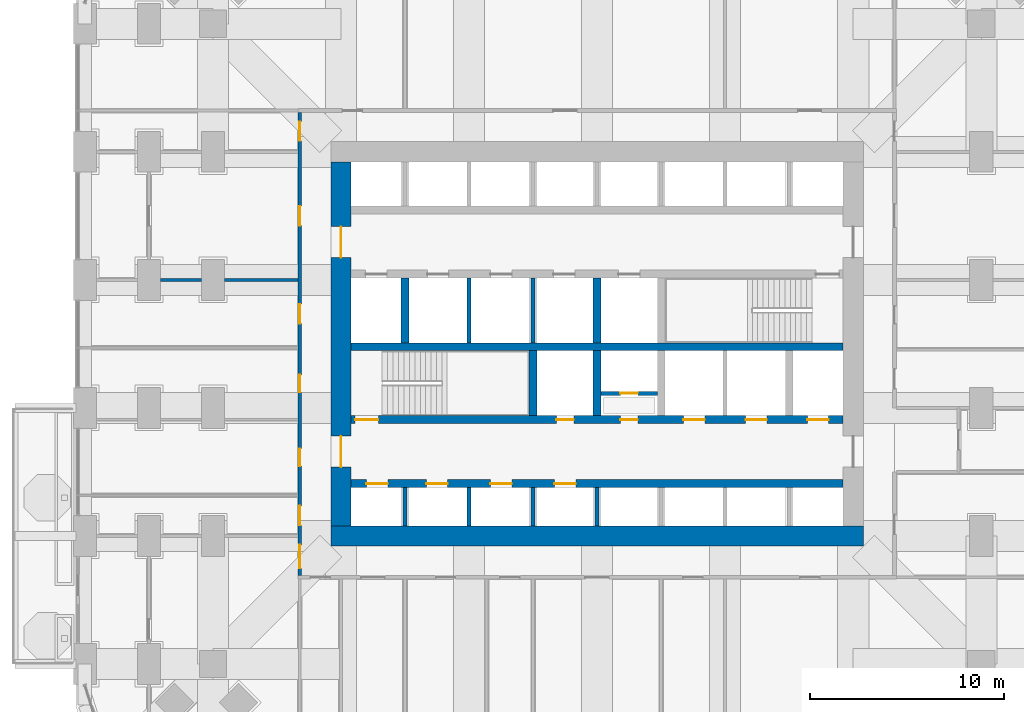
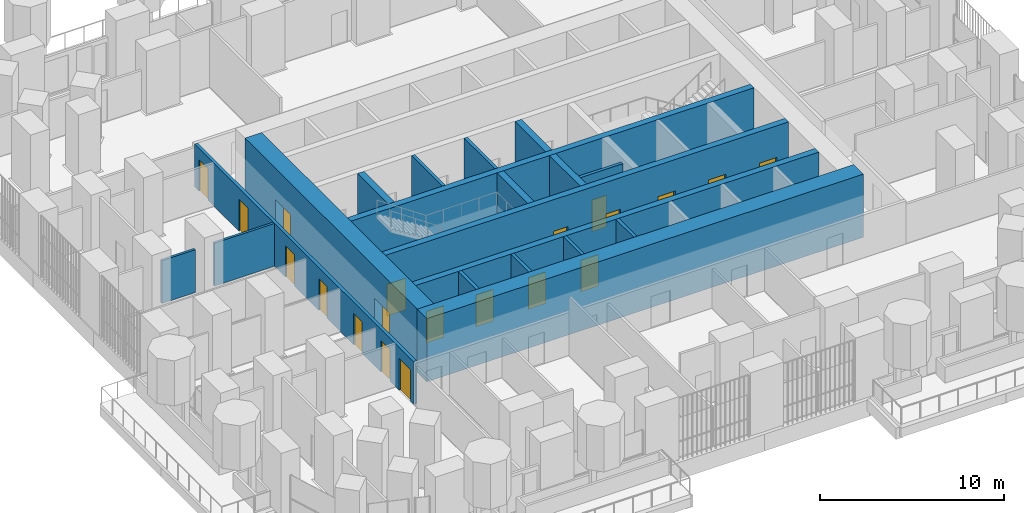
# One storey, part 19 of 27: 20 doors, 19 walls, 20 openings.
"""IFC4 building model written with IfcOpenShell, lengths in metres."""

from ifc_helpers import new_model, si_unit, direction, frame, frame_2d, origin, place, context, subcontext, project, spatial, rectangle, extrude, material, layer, layer_set, type_object, element, fill, save


model = new_model("IFC4")

# Units and contexts
model_context = context("Model", 3, precision=1e-05, world=origin(), true_north=direction((0.0, 1.0)))
body_context = subcontext(model_context, "Body", "Model", "MODEL_VIEW")
ifc_project = project(units=[si_unit("LENGTHUNIT", "METRE"), si_unit("AREAUNIT", "SQUARE_METRE"), si_unit("VOLUMEUNIT", "CUBIC_METRE"), si_unit("PLANEANGLEUNIT", "RADIAN"), si_unit("MASSUNIT", "GRAM", prefix="KILO")], contexts=[model_context])

# Site, building, storey
site_placement = place(None, origin())
site = spatial("IfcSite", under=ifc_project, at=site_placement, CompositionType="ELEMENT")
building_placement = place(site_placement, origin())
building = spatial("IfcBuilding", under=site, at=building_placement, Name="Cobogo Forest Laboratory Tower", CompositionType="ELEMENT")
storey_placement = place(building_placement, frame((0.0, 0.0, 63.300048828125)))
storey = spatial("IfcBuildingStorey", under=building, at=storey_placement, Name="L14", CompositionType="ELEMENT", Elevation=63.300048828125)

# Wall, openings, doors
ifc_material_1 = material(Name="Concrete HA-50 (C50/60)", Category="concrete")
ifc_layer_1 = layer(ifc_material_1, 0.39990234375)
ifc_layer_set_1 = layer_set([ifc_layer_1], Name="CI400 core inner wall 400")
wall_type_1 = type_object("IfcWallType", Name="CI400 core inner wall 400", PredefinedType="SHEAR", material=ifc_layer_set_1)
wall_1_placement = place(storey_placement, frame((13.72509765625, 15.89990234375, 0.0), z_axis=(0.0, 0.0, 1.0), x_axis=(1.0, 0.0, 0.0)))
wall_1 = element("IfcWall", 1, at=wall_1_placement, inside=storey, type_object=wall_type_1, Name="Core wall CI-15.9 L14", PredefinedType="SHEAR", context=body_context, shape_type="SweptSolid", body=[
    extrude(rectangle(XDim=25.349853515625, YDim=0.39990234375, at=frame_2d((12.6748046875, 0.0))), origin(), (0.0, 0.0, 1.0), 4.199951171875),
])
opening_1_placement = place(wall_1_placement, frame((0.78759765625, 0.0, 0.0)))
opening_1 = element("IfcOpeningElement", 2, at=opening_1_placement, cuts=wall_1, Name="Opening L14-LD-LA1", PredefinedType="OPENING", context=body_context, shape_type="SweptSolid", body=[
    extrude(rectangle(XDim=1.10009765625, YDim=2.10009765625, at=frame_2d((0.550048828125, 1.050048828125))), frame((0.0, 0.2099609375, 0.0), z_axis=(0.0, -1.0, 0.0), x_axis=(1.0, 0.0, 0.0)), (0.0, 0.0, 1.0), 0.419921875),
])
opening_2_placement = place(wall_1_placement, frame((3.875, 0.0, 0.0)))
opening_2 = element("IfcOpeningElement", 3, at=opening_2_placement, cuts=wall_1, Name="Opening L14-LD-LA2", PredefinedType="OPENING", context=body_context, shape_type="SweptSolid", body=[
    extrude(rectangle(XDim=1.10009765625, YDim=2.10009765625, at=frame_2d((0.550048828125, 1.050048828125))), frame((0.0, 0.2099609375, 0.0), z_axis=(0.0, -1.0, 0.0), x_axis=(1.0, 0.0, 0.0)), (0.0, 0.0, 1.0), 0.419921875),
])
opening_3_placement = place(wall_1_placement, frame((7.175048828125, 0.0, 0.0)))
opening_3 = element("IfcOpeningElement", 4, at=opening_3_placement, cuts=wall_1, Name="Opening L14-LD-LA3", PredefinedType="OPENING", context=body_context, shape_type="SweptSolid", body=[
    extrude(rectangle(XDim=1.10009765625, YDim=2.10009765625, at=frame_2d((0.550048828125, 1.050048828125))), frame((0.0, 0.2099609375, 0.0), z_axis=(0.0, -1.0, 0.0), x_axis=(1.0, 0.0, 0.0)), (0.0, 0.0, 1.0), 0.419921875),
])
opening_4_placement = place(wall_1_placement, frame((10.47509765625, 0.0, 0.0)))
opening_4 = element("IfcOpeningElement", 5, at=opening_4_placement, cuts=wall_1, Name="Opening L14-LD-LA4", PredefinedType="OPENING", context=body_context, shape_type="SweptSolid", body=[
    extrude(rectangle(XDim=1.10009765625, YDim=2.10009765625, at=frame_2d((0.550048828125, 1.050048828125))), frame((0.0, 0.2099609375, 0.0), z_axis=(0.0, -1.0, 0.0), x_axis=(1.0, 0.0, 0.0)), (0.0, 0.0, 1.0), 0.419921875),
])
ifc_material_2 = material(Name="Stainless steel lift door", Category="steel")
door_type_1 = type_object("IfcDoorType", Name="LD lift landing door 1100", OperationType="DOUBLE_DOOR_SLIDING", PredefinedType="DOOR", material=ifc_material_2)
door_1_placement = place(opening_1_placement, origin())
door_1 = element("IfcDoor", 6, at=door_1_placement, inside=storey, type_object=door_type_1, Name="Lift landing door LA1 L14", OperationType="DOUBLE_DOOR_SLIDING", OverallHeight=2.10009765625, OverallWidth=1.10009765625, PredefinedType="DOOR", context=body_context, shape_type="SweptSolid", body=[
    extrude(rectangle(XDim=1.10009765625, YDim=2.10009765625, at=frame_2d((0.550048828125, 1.050048828125))), frame((0.0, 0.02490234375, 0.0), z_axis=(0.0, -1.0, 0.0), x_axis=(1.0, 0.0, 0.0)), (0.0, 0.0, 1.0), 0.050048828125),
])
fill(opening_1, door_1)
door_2_placement = place(opening_2_placement, origin())
door_2 = element("IfcDoor", 7, at=door_2_placement, inside=storey, type_object=door_type_1, Name="Lift landing door LA2 L14", OperationType="DOUBLE_DOOR_SLIDING", OverallHeight=2.10009765625, OverallWidth=1.10009765625, PredefinedType="DOOR", context=body_context, shape_type="SweptSolid", body=[
    extrude(rectangle(XDim=1.10009765625, YDim=2.10009765625, at=frame_2d((0.550048828125, 1.050048828125))), frame((0.0, 0.02490234375, 0.0), z_axis=(0.0, -1.0, 0.0), x_axis=(1.0, 0.0, 0.0)), (0.0, 0.0, 1.0), 0.050048828125),
])
fill(opening_2, door_2)
door_3_placement = place(opening_3_placement, origin())
door_3 = element("IfcDoor", 8, at=door_3_placement, inside=storey, type_object=door_type_1, Name="Lift landing door LA3 L14", OperationType="DOUBLE_DOOR_SLIDING", OverallHeight=2.10009765625, OverallWidth=1.10009765625, PredefinedType="DOOR", context=body_context, shape_type="SweptSolid", body=[
    extrude(rectangle(XDim=1.10009765625, YDim=2.10009765625, at=frame_2d((0.550048828125, 1.050048828125))), frame((0.0, 0.02490234375, 0.0), z_axis=(0.0, -1.0, 0.0), x_axis=(1.0, 0.0, 0.0)), (0.0, 0.0, 1.0), 0.050048828125),
])
fill(opening_3, door_3)
door_4_placement = place(opening_4_placement, origin())
door_4 = element("IfcDoor", 9, at=door_4_placement, inside=storey, type_object=door_type_1, Name="Lift landing door LA4 L14", OperationType="DOUBLE_DOOR_SLIDING", OverallHeight=2.10009765625, OverallWidth=1.10009765625, PredefinedType="DOOR", context=body_context, shape_type="SweptSolid", body=[
    extrude(rectangle(XDim=1.10009765625, YDim=2.10009765625, at=frame_2d((0.550048828125, 1.050048828125))), frame((0.0, 0.02490234375, 0.0), z_axis=(0.0, -1.0, 0.0), x_axis=(1.0, 0.0, 0.0)), (0.0, 0.0, 1.0), 0.050048828125),
])
fill(opening_4, door_4)

wall_2_placement = place(storey_placement, frame((13.72509765625, 19.199951171875, 0.0), z_axis=(0.0, 0.0, 1.0), x_axis=(1.0, 0.0, 0.0)))
wall_2 = element("IfcWall", 10, at=wall_2_placement, inside=storey, type_object=wall_type_1, Name="Core wall CI-19.2 L14", PredefinedType="SHEAR", context=body_context, shape_type="SweptSolid", body=[
    extrude(rectangle(XDim=25.349853515625, YDim=0.39990234375, at=frame_2d((12.6748046875, 0.0))), origin(), (0.0, 0.0, 1.0), 4.199951171875),
])
opening_5_placement = place(wall_2_placement, frame((10.574951171875, 0.0, 0.0)))
opening_5 = element("IfcOpeningElement", 11, at=opening_5_placement, cuts=wall_2, Name="Opening L14-D27", PredefinedType="OPENING", context=body_context, shape_type="SweptSolid", body=[
    extrude(rectangle(XDim=0.89990234375, YDim=2.10009765625, at=frame_2d((0.449951171875, 1.050048828125))), frame((0.0, 0.2099609375, 0.0), z_axis=(0.0, -1.0, 0.0), x_axis=(1.0, 0.0, 0.0)), (0.0, 0.0, 1.0), 0.419921875),
])
opening_6_placement = place(wall_2_placement, frame((13.875, 0.0, 0.0)))
opening_6 = element("IfcOpeningElement", 12, at=opening_6_placement, cuts=wall_2, Name="Opening L14-D28", PredefinedType="OPENING", context=body_context, shape_type="SweptSolid", body=[
    extrude(rectangle(XDim=0.89990234375, YDim=2.10009765625, at=frame_2d((0.449951171875, 1.050048828125))), frame((0.0, 0.2099609375, 0.0), z_axis=(0.0, -1.0, 0.0), x_axis=(1.0, 0.0, 0.0)), (0.0, 0.0, 1.0), 0.419921875),
])
opening_7_placement = place(wall_2_placement, frame((0.199951171875, 0.0, 0.0)))
opening_7 = element("IfcOpeningElement", 13, at=opening_7_placement, cuts=wall_2, Name="Opening L14-D26", PredefinedType="OPENING", context=body_context, shape_type="SweptSolid", body=[
    extrude(rectangle(XDim=1.199951171875, YDim=2.10009765625, at=frame_2d((0.60009765625, 1.050048828125))), frame((0.0, 0.2099609375, 0.0), z_axis=(0.0, -1.0, 0.0), x_axis=(1.0, 0.0, 0.0)), (0.0, 0.0, 1.0), 0.419921875),
])
opening_8_placement = place(wall_2_placement, frame((23.512451171875, 0.0, 0.0)))
opening_8 = element("IfcOpeningElement", 14, at=opening_8_placement, cuts=wall_2, Name="Opening L14-LD-FL2", PredefinedType="OPENING", context=body_context, shape_type="SweptSolid", body=[
    extrude(rectangle(XDim=1.10009765625, YDim=2.10009765625, at=frame_2d((0.550048828125, 1.050048828125))), frame((0.0, 0.2099609375, 0.0), z_axis=(0.0, -1.0, 0.0), x_axis=(1.0, 0.0, 0.0)), (0.0, 0.0, 1.0), 0.419921875),
])
opening_9_placement = place(wall_2_placement, frame((17.125, 0.0, 0.0)))
opening_9 = element("IfcOpeningElement", 15, at=opening_9_placement, cuts=wall_2, Name="Opening L14-LD-LS1", PredefinedType="OPENING", context=body_context, shape_type="SweptSolid", body=[
    extrude(rectangle(XDim=1.10009765625, YDim=2.10009765625, at=frame_2d((0.550048828125, 1.050048828125))), frame((0.0, 0.2099609375, 0.0), z_axis=(0.0, -1.0, 0.0), x_axis=(1.0, 0.0, 0.0)), (0.0, 0.0, 1.0), 0.419921875),
])
opening_10_placement = place(wall_2_placement, frame((20.324951171875, 0.0, 0.0)))
opening_10 = element("IfcOpeningElement", 16, at=opening_10_placement, cuts=wall_2, Name="Opening L14-LD-LS2", PredefinedType="OPENING", context=body_context, shape_type="SweptSolid", body=[
    extrude(rectangle(XDim=1.10009765625, YDim=2.10009765625, at=frame_2d((0.550048828125, 1.050048828125))), frame((0.0, 0.2099609375, 0.0), z_axis=(0.0, -1.0, 0.0), x_axis=(1.0, 0.0, 0.0)), (0.0, 0.0, 1.0), 0.419921875),
])
ifc_material_3 = material(Name="Steel fire door", Category="steel")
door_type_2 = type_object("IfcDoorType", Name="DS1 protected stair door 1200 EI2 60", OperationType="SINGLE_SWING_LEFT", PredefinedType="DOOR", material=ifc_material_3)
door_5_placement = place(opening_7_placement, origin())
door_5 = element("IfcDoor", 17, at=door_5_placement, inside=storey, type_object=door_type_2, Name="Door L14-ST1", OperationType="SINGLE_SWING_LEFT", OverallHeight=2.10009765625, OverallWidth=1.199951171875, PredefinedType="DOOR", context=body_context, shape_type="SweptSolid", body=[
    extrude(rectangle(XDim=1.199951171875, YDim=2.10009765625, at=frame_2d((0.60009765625, 1.050048828125))), frame((0.0, 0.02490234375, 0.0), z_axis=(0.0, -1.0, 0.0), x_axis=(1.0, 0.0, 0.0)), (0.0, 0.0, 1.0), 0.050048828125),
])
fill(opening_7, door_5)
door_type_3 = type_object("IfcDoorType", Name="FD4 riser access door 900 EI2 60", OperationType="SINGLE_SWING_LEFT", PredefinedType="DOOR", material=ifc_material_3)
door_6_placement = place(opening_5_placement, origin())
door_6 = element("IfcDoor", 18, at=door_6_placement, inside=storey, type_object=door_type_3, Name="Door L14-R1", OperationType="SINGLE_SWING_LEFT", OverallHeight=2.10009765625, OverallWidth=0.89990234375, PredefinedType="DOOR", context=body_context, shape_type="SweptSolid", body=[
    extrude(rectangle(XDim=0.89990234375, YDim=2.10009765625, at=frame_2d((0.449951171875, 1.050048828125))), frame((0.0, 0.02490234375, 0.0), z_axis=(0.0, -1.0, 0.0), x_axis=(1.0, 0.0, 0.0)), (0.0, 0.0, 1.0), 0.050048828125),
])
fill(opening_5, door_6)
door_7_placement = place(opening_6_placement, origin())
door_7 = element("IfcDoor", 19, at=door_7_placement, inside=storey, type_object=door_type_3, Name="Door L14-R2V", OperationType="SINGLE_SWING_RIGHT", OverallHeight=2.10009765625, OverallWidth=0.89990234375, PredefinedType="DOOR", context=body_context, shape_type="SweptSolid", body=[
    extrude(rectangle(XDim=0.89990234375, YDim=2.10009765625, at=frame_2d((0.449951171875, 1.050048828125))), frame((0.0, 0.02490234375, 0.0), z_axis=(0.0, -1.0, 0.0), x_axis=(1.0, 0.0, 0.0)), (0.0, 0.0, 1.0), 0.050048828125),
])
fill(opening_6, door_7)
door_8_placement = place(opening_8_placement, origin())
door_8 = element("IfcDoor", 20, at=door_8_placement, inside=storey, type_object=door_type_1, Name="Lift landing door FL2 L14", OperationType="DOUBLE_DOOR_SLIDING", OverallHeight=2.10009765625, OverallWidth=1.10009765625, PredefinedType="DOOR", context=body_context, shape_type="SweptSolid", body=[
    extrude(rectangle(XDim=1.10009765625, YDim=2.10009765625, at=frame_2d((0.550048828125, 1.050048828125))), frame((0.0, 0.02490234375, 0.0), z_axis=(0.0, -1.0, 0.0), x_axis=(1.0, 0.0, 0.0)), (0.0, 0.0, 1.0), 0.050048828125),
])
fill(opening_8, door_8)
door_9_placement = place(opening_9_placement, origin())
door_9 = element("IfcDoor", 21, at=door_9_placement, inside=storey, type_object=door_type_1, Name="Lift landing door LS1 L14", OperationType="DOUBLE_DOOR_SLIDING", OverallHeight=2.10009765625, OverallWidth=1.10009765625, PredefinedType="DOOR", context=body_context, shape_type="SweptSolid", body=[
    extrude(rectangle(XDim=1.10009765625, YDim=2.10009765625, at=frame_2d((0.550048828125, 1.050048828125))), frame((0.0, 0.02490234375, 0.0), z_axis=(0.0, -1.0, 0.0), x_axis=(1.0, 0.0, 0.0)), (0.0, 0.0, 1.0), 0.050048828125),
])
fill(opening_9, door_9)
door_10_placement = place(opening_10_placement, origin())
door_10 = element("IfcDoor", 22, at=door_10_placement, inside=storey, type_object=door_type_1, Name="Lift landing door LS2 L14", OperationType="DOUBLE_DOOR_SLIDING", OverallHeight=2.10009765625, OverallWidth=1.10009765625, PredefinedType="DOOR", context=body_context, shape_type="SweptSolid", body=[
    extrude(rectangle(XDim=1.10009765625, YDim=2.10009765625, at=frame_2d((0.550048828125, 1.050048828125))), frame((0.0, 0.02490234375, 0.0), z_axis=(0.0, -1.0, 0.0), x_axis=(1.0, 0.0, 0.0)), (0.0, 0.0, 1.0), 0.050048828125),
])
fill(opening_10, door_10)

# Walls
wall_3_placement = place(storey_placement, frame((13.72509765625, 22.949951171875, 0.0), z_axis=(0.0, 0.0, 1.0), x_axis=(1.0, 0.0, 0.0)))
element("IfcWall", 23, at=wall_3_placement, inside=storey, type_object=wall_type_1, Name="Core wall CI-22.95 L14", PredefinedType="SHEAR", context=body_context, shape_type="SweptSolid", body=[
    extrude(rectangle(XDim=25.349853515625, YDim=0.39990234375, at=frame_2d((12.6748046875, 0.0))), origin(), (0.0, 0.0, 1.0), 4.199951171875),
])
for number, where, z_axis, x_axis, name in (
    (24, (23.10009765625, 19.39990234375, 0.0), (0.0, 0.0, 1.0), (0.0, 1.0, 0.0), "Core wall CX-23.1 L14"),
    (25, (26.39990234375, 19.39990234375, 0.0), (0.0, 0.0, 1.0), (0.0, 1.0, 0.0), "Core wall CX-26.4S L14"),
    (26, (16.5, 23.14990234375, 0.0), (0.0, 0.0, 1.0), (0.0, 1.0, 0.0), "Core wall CX-16.5 L14"),
    (27, (26.39990234375, 23.14990234375, 0.0), (0.0, 0.0, 1.0), (0.0, 1.0, 0.0), "Core wall CX-26.4N L14"),
):
    element("IfcWall", number, at=place(storey_placement, frame(where, z_axis=z_axis, x_axis=x_axis)), inside=storey, type_object=wall_type_1, Name=name, PredefinedType="SHEAR", context=body_context, shape_type="SweptSolid", body=[
        extrude(rectangle(XDim=3.35009765625, YDim=0.39990234375, at=frame_2d((1.675048828125, 0.0))), origin(), (0.0, 0.0, 1.0), 4.199951171875),
    ])
ifc_layer_2 = layer(ifc_material_1, 1.050048828125)
ifc_layer_set_2 = layer_set([ifc_layer_2], Name="CW1050 core outer wall 1050")
wall_type_2 = type_object("IfcWallType", Name="CW1050 core outer wall 1050", PredefinedType="SHEAR", material=ifc_layer_set_2)
wall_4_placement = place(storey_placement, frame((12.675048828125, 13.199951171875, 0.0), z_axis=(0.0, 0.0, 1.0), x_axis=(1.0, 0.0, 0.0)))
element("IfcWall", 28, at=wall_4_placement, inside=storey, type_object=wall_type_2, Name="Core wall CO-S L14", PredefinedType="SHEAR", context=body_context, shape_type="SweptSolid", body=[
    extrude(rectangle(XDim=27.449951171875, YDim=1.050048828125, at=frame_2d((13.72509765625, 0.0))), origin(), (0.0, 0.0, 1.0), 4.199951171875),
])

# Wall, openings, doors
wall_5_placement = place(storey_placement, frame((13.199951171875, 32.47509765625, 0.0), z_axis=(0.0, 0.0, 1.0), x_axis=(0.0, -1.0, 0.0)))
wall_5 = element("IfcWall", 29, at=wall_5_placement, inside=storey, type_object=wall_type_2, Name="Core wall CO-W L14", PredefinedType="SHEAR", context=body_context, shape_type="SweptSolid", body=[
    extrude(rectangle(XDim=18.75, YDim=1.050048828125, at=frame_2d((9.375, 0.0))), origin(), (0.0, 0.0, 1.0), 4.199951171875),
])
opening_11_placement = place(wall_5_placement, frame((14.125, 0.0, 0.0)))
opening_11 = element("IfcOpeningElement", 30, at=opening_11_placement, cuts=wall_5, Name="Opening L14-D22", PredefinedType="OPENING", context=body_context, shape_type="SweptSolid", body=[
    extrude(rectangle(XDim=1.60009765625, YDim=2.10009765625, at=frame_2d((0.800048828125, 1.050048828125))), frame((0.0, 0.534912109375, 0.0), z_axis=(0.0, -1.0, 0.0), x_axis=(1.0, 0.0, 0.0)), (0.0, 0.0, 1.0), 1.070068359375),
])
opening_12_placement = place(wall_5_placement, frame((3.324951171875, 0.0, 0.0)))
opening_12 = element("IfcOpeningElement", 31, at=opening_12_placement, cuts=wall_5, Name="Opening L14-D35", PredefinedType="OPENING", context=body_context, shape_type="SweptSolid", body=[
    extrude(rectangle(XDim=1.60009765625, YDim=2.10009765625, at=frame_2d((0.800048828125, 1.050048828125))), frame((0.0, 0.534912109375, 0.0), z_axis=(0.0, -1.0, 0.0), x_axis=(1.0, 0.0, 0.0)), (0.0, 0.0, 1.0), 1.070068359375),
])
door_type_4 = type_object("IfcDoorType", Name="DS2 protected lobby door pair 1600 EI2 60", OperationType="DOUBLE_DOOR_DOUBLE_SWING", PredefinedType="DOOR", material=ifc_material_3)
door_11_placement = place(opening_11_placement, origin())
door_11 = element("IfcDoor", 32, at=door_11_placement, inside=storey, type_object=door_type_4, Name="Door L14-CO-W-S", OperationType="DOUBLE_DOOR_DOUBLE_SWING", OverallHeight=2.10009765625, OverallWidth=1.60009765625, PredefinedType="DOOR", context=body_context, shape_type="SweptSolid", body=[
    extrude(rectangle(XDim=1.60009765625, YDim=2.10009765625, at=frame_2d((0.800048828125, 1.050048828125))), frame((0.0, 0.02490234375, 0.0), z_axis=(0.0, -1.0, 0.0), x_axis=(1.0, 0.0, 0.0)), (0.0, 0.0, 1.0), 0.050048828125),
])
fill(opening_11, door_11)
door_12_placement = place(opening_12_placement, origin())
door_12 = element("IfcDoor", 33, at=door_12_placement, inside=storey, type_object=door_type_4, Name="Door L14-CO-W-N", OperationType="DOUBLE_DOOR_DOUBLE_SWING", OverallHeight=2.10009765625, OverallWidth=1.60009765625, PredefinedType="DOOR", context=body_context, shape_type="SweptSolid", body=[
    extrude(rectangle(XDim=1.60009765625, YDim=2.10009765625, at=frame_2d((0.800048828125, 1.050048828125))), frame((0.0, 0.02490234375, 0.0), z_axis=(0.0, -1.0, 0.0), x_axis=(1.0, 0.0, 0.0)), (0.0, 0.0, 1.0), 0.050048828125),
])
fill(opening_12, door_12)

# Walls
ifc_material_4 = material(Name="Gypsum board on steel studs", Category="steel")
ifc_layer_3 = layer(ifc_material_4, 0.14990234375)
ifc_layer_set_3 = layer_set([ifc_layer_3], Name="PT1 laboratory partition 150")
wall_type_3 = type_object("IfcWallType", Name="PT1 laboratory partition 150", PredefinedType="PARTITIONING", material=ifc_layer_set_3)
wall_6_placement = place(storey_placement, frame((3.89990234375, 26.39990234375, 0.0), z_axis=(0.0, 0.0, 1.0), x_axis=(1.0, 0.0, 0.0)))
element("IfcWall", 34, at=wall_6_placement, inside=storey, type_object=wall_type_3, Name="Partition CUT-W26.4-2 L14", PredefinedType="PARTITIONING", context=body_context, shape_type="SweptSolid", body=[
    extrude(rectangle(XDim=2.10009765625, YDim=0.14990234375, at=frame_2d((1.050048828125, 0.0))), origin(), (0.0, 0.0, 1.0), 2.849853515625),
])
wall_7_placement = place(storey_placement, frame((7.199951171875, 26.39990234375, 0.0), z_axis=(0.0, 0.0, 1.0), x_axis=(1.0, 0.0, 0.0)))
element("IfcWall", 35, at=wall_7_placement, inside=storey, type_object=wall_type_3, Name="Partition CUT-W26.4-3 L14", PredefinedType="PARTITIONING", context=body_context, shape_type="SweptSolid", body=[
    extrude(rectangle(XDim=3.775146484375, YDim=0.14990234375, at=frame_2d((1.8876953125, 0.0))), origin(), (0.0, 0.0, 1.0), 2.849853515625),
])

# Wall, openings, doors
ifc_layer_4 = layer(ifc_material_4, 0.199951171875)
ifc_layer_set_4 = layer_set([ifc_layer_4], Name="PT2 fire-rated corridor partition 200")
wall_type_4 = type_object("IfcWallType", Name="PT2 fire-rated corridor partition 200", PredefinedType="PARTITIONING", material=ifc_layer_set_4)
wall_8_placement = place(storey_placement, frame((11.074951171875, 11.175048828125, 0.0), z_axis=(0.0, 0.0, 1.0), x_axis=(0.0, 1.0, 0.0)))
wall_8 = element("IfcWall", 36, at=wall_8_placement, inside=storey, type_object=wall_type_4, Name="Partition CORR-W L14", PredefinedType="PARTITIONING", context=body_context, shape_type="SweptSolid", body=[
    extrude(rectangle(XDim=23.849853515625, YDim=0.199951171875, at=frame_2d((11.9248046875, 0.0))), origin(), (0.0, 0.0, 1.0), 2.849853515625),
])
opening_13_placement = place(wall_8_placement, frame((0.362548828125, 0.0, 0.0)))
opening_13 = element("IfcOpeningElement", 37, at=opening_13_placement, cuts=wall_8, Name="Opening L14-D17", PredefinedType="OPENING", context=body_context, shape_type="SweptSolid", body=[
    extrude(rectangle(XDim=1.199951171875, YDim=2.10009765625, at=frame_2d((0.60009765625, 1.050048828125))), frame((0.0, 0.10986328125, 0.0), z_axis=(0.0, -1.0, 0.0), x_axis=(1.0, 0.0, 0.0)), (0.0, 0.0, 1.0), 0.219970703125),
])
opening_14_placement = place(wall_8_placement, frame((2.574951171875, 0.0, 0.0)))
opening_14 = element("IfcOpeningElement", 38, at=opening_14_placement, cuts=wall_8, Name="Opening L14-D19", PredefinedType="OPENING", context=body_context, shape_type="SweptSolid", body=[
    extrude(rectangle(XDim=1.0, YDim=2.10009765625, at=frame_2d((0.5, 1.050048828125))), frame((0.0, 0.10986328125, 0.0), z_axis=(0.0, -1.0, 0.0), x_axis=(1.0, 0.0, 0.0)), (0.0, 0.0, 1.0), 0.219970703125),
])
opening_15_placement = place(wall_8_placement, frame((5.625, 0.0, 0.0)))
opening_15 = element("IfcOpeningElement", 39, at=opening_15_placement, cuts=wall_8, Name="Opening L14-D21", PredefinedType="OPENING", context=body_context, shape_type="SweptSolid", body=[
    extrude(rectangle(XDim=0.89990234375, YDim=2.10009765625, at=frame_2d((0.449951171875, 1.050048828125))), frame((0.0, 0.10986328125, 0.0), z_axis=(0.0, -1.0, 0.0), x_axis=(1.0, 0.0, 0.0)), (0.0, 0.0, 1.0), 0.219970703125),
])
opening_16_placement = place(wall_8_placement, frame((9.425048828125, 0.0, 0.0)))
opening_16 = element("IfcOpeningElement", 40, at=opening_16_placement, cuts=wall_8, Name="Opening L14-D30", PredefinedType="OPENING", context=body_context, shape_type="SweptSolid", body=[
    extrude(rectangle(XDim=0.89990234375, YDim=2.10009765625, at=frame_2d((0.449951171875, 1.050048828125))), frame((0.0, 0.10986328125, 0.0), z_axis=(0.0, -1.0, 0.0), x_axis=(1.0, 0.0, 0.0)), (0.0, 0.0, 1.0), 0.219970703125),
])
opening_17_placement = place(wall_8_placement, frame((12.97509765625, 0.0, 0.0)))
opening_17 = element("IfcOpeningElement", 41, at=opening_17_placement, cuts=wall_8, Name="Opening L14-D33", PredefinedType="OPENING", context=body_context, shape_type="SweptSolid", body=[
    extrude(rectangle(XDim=1.0, YDim=2.10009765625, at=frame_2d((0.5, 1.050048828125))), frame((0.0, 0.10986328125, 0.0), z_axis=(0.0, -1.0, 0.0), x_axis=(1.0, 0.0, 0.0)), (0.0, 0.0, 1.0), 0.219970703125),
])
opening_18_placement = place(wall_8_placement, frame((18.02490234375, 0.0, 0.0)))
opening_18 = element("IfcOpeningElement", 42, at=opening_18_placement, cuts=wall_8, Name="Opening L14-D38", PredefinedType="OPENING", context=body_context, shape_type="SweptSolid", body=[
    extrude(rectangle(XDim=1.0, YDim=2.10009765625, at=frame_2d((0.5, 1.050048828125))), frame((0.0, 0.10986328125, 0.0), z_axis=(0.0, -1.0, 0.0), x_axis=(1.0, 0.0, 0.0)), (0.0, 0.0, 1.0), 0.219970703125),
])
opening_19_placement = place(wall_8_placement, frame((22.387451171875, 0.0, 0.0)))
opening_19 = element("IfcOpeningElement", 43, at=opening_19_placement, cuts=wall_8, Name="Opening L14-D41", PredefinedType="OPENING", context=body_context, shape_type="SweptSolid", body=[
    extrude(rectangle(XDim=1.0, YDim=2.10009765625, at=frame_2d((0.5, 1.050048828125))), frame((0.0, 0.10986328125, 0.0), z_axis=(0.0, -1.0, 0.0), x_axis=(1.0, 0.0, 0.0)), (0.0, 0.0, 1.0), 0.219970703125),
])
ifc_material_5 = material(Name="Timber door", Category="wood")
door_type_5 = type_object("IfcDoorType", Name="D2 laboratory door 1200 unequal pair", OperationType="DOUBLE_DOOR_SINGLE_SWING", PredefinedType="DOOR", material=ifc_material_5)
door_13_placement = place(opening_13_placement, origin())
door_13 = element("IfcDoor", 44, at=door_13_placement, inside=storey, type_object=door_type_5, Name="Door L14-W1", OperationType="DOUBLE_DOOR_SINGLE_SWING", OverallHeight=2.10009765625, OverallWidth=1.199951171875, PredefinedType="DOOR", context=body_context, shape_type="SweptSolid", body=[
    extrude(rectangle(XDim=1.199951171875, YDim=2.10009765625, at=frame_2d((0.60009765625, 1.050048828125))), frame((0.0, 0.02490234375, 0.0), z_axis=(0.0, -1.0, 0.0), x_axis=(1.0, 0.0, 0.0)), (0.0, 0.0, 1.0), 0.050048828125),
])
fill(opening_13, door_13)
ifc_material_6 = material(Name="Timber fire door", Category="wood")
door_type_6 = type_object("IfcDoorType", Name="FD2 fire door 1000 EI2 30", OperationType="SINGLE_SWING_LEFT", PredefinedType="DOOR", material=ifc_material_6)
door_14_placement = place(opening_17_placement, origin())
door_14 = element("IfcDoor", 45, at=door_14_placement, inside=storey, type_object=door_type_6, Name="Door L14-SHW", OperationType="SINGLE_SWING_RIGHT", OverallHeight=2.10009765625, OverallWidth=1.0, PredefinedType="DOOR", context=body_context, shape_type="SweptSolid", body=[
    extrude(rectangle(XDim=1.0, YDim=2.10009765625, at=frame_2d((0.5, 1.050048828125))), frame((0.0, 0.02490234375, 0.0), z_axis=(0.0, -1.0, 0.0), x_axis=(1.0, 0.0, 0.0)), (0.0, 0.0, 1.0), 0.050048828125),
])
fill(opening_17, door_14)
door_15_placement = place(opening_18_placement, origin())
door_15 = element("IfcDoor", 46, at=door_15_placement, inside=storey, type_object=door_type_6, Name="Door L14-W3", OperationType="SINGLE_SWING_RIGHT", OverallHeight=2.10009765625, OverallWidth=1.0, PredefinedType="DOOR", context=body_context, shape_type="SweptSolid", body=[
    extrude(rectangle(XDim=1.0, YDim=2.10009765625, at=frame_2d((0.5, 1.050048828125))), frame((0.0, 0.02490234375, 0.0), z_axis=(0.0, -1.0, 0.0), x_axis=(1.0, 0.0, 0.0)), (0.0, 0.0, 1.0), 0.050048828125),
])
fill(opening_18, door_15)
door_16_placement = place(opening_19_placement, origin())
door_16 = element("IfcDoor", 47, at=door_16_placement, inside=storey, type_object=door_type_6, Name="Door L14-W4", OperationType="SINGLE_SWING_RIGHT", OverallHeight=2.10009765625, OverallWidth=1.0, PredefinedType="DOOR", context=body_context, shape_type="SweptSolid", body=[
    extrude(rectangle(XDim=1.0, YDim=2.10009765625, at=frame_2d((0.5, 1.050048828125))), frame((0.0, 0.02490234375, 0.0), z_axis=(0.0, -1.0, 0.0), x_axis=(1.0, 0.0, 0.0)), (0.0, 0.0, 1.0), 0.050048828125),
])
fill(opening_19, door_16)
door_type_7 = type_object("IfcDoorType", Name="FD3 toilet fire door 900 EI2 30", OperationType="SINGLE_SWING_LEFT", PredefinedType="DOOR", material=ifc_material_6)
door_17_placement = place(opening_15_placement, origin())
door_17 = element("IfcDoor", 48, at=door_17_placement, inside=storey, type_object=door_type_7, Name="Door L14-WCF", OperationType="SINGLE_SWING_LEFT", OverallHeight=2.10009765625, OverallWidth=0.89990234375, PredefinedType="DOOR", context=body_context, shape_type="SweptSolid", body=[
    extrude(rectangle(XDim=0.89990234375, YDim=2.10009765625, at=frame_2d((0.449951171875, 1.050048828125))), frame((0.0, 0.02490234375, 0.0), z_axis=(0.0, -1.0, 0.0), x_axis=(1.0, 0.0, 0.0)), (0.0, 0.0, 1.0), 0.050048828125),
])
fill(opening_15, door_17)
door_18_placement = place(opening_16_placement, origin())
door_18 = element("IfcDoor", 49, at=door_18_placement, inside=storey, type_object=door_type_7, Name="Door L14-WCM", OperationType="SINGLE_SWING_LEFT", OverallHeight=2.10009765625, OverallWidth=0.89990234375, PredefinedType="DOOR", context=body_context, shape_type="SweptSolid", body=[
    extrude(rectangle(XDim=0.89990234375, YDim=2.10009765625, at=frame_2d((0.449951171875, 1.050048828125))), frame((0.0, 0.02490234375, 0.0), z_axis=(0.0, -1.0, 0.0), x_axis=(1.0, 0.0, 0.0)), (0.0, 0.0, 1.0), 0.050048828125),
])
fill(opening_16, door_18)
door_type_8 = type_object("IfcDoorType", Name="FDA1 accessible toilet fire door 1000 EI2 30", OperationType="SINGLE_SWING_RIGHT", PredefinedType="DOOR", material=ifc_material_6)
door_19_placement = place(opening_14_placement, origin())
door_19 = element("IfcDoor", 50, at=door_19_placement, inside=storey, type_object=door_type_8, Name="Door L14-WCA", OperationType="SINGLE_SWING_LEFT", OverallHeight=2.10009765625, OverallWidth=1.0, PredefinedType="DOOR", context=body_context, shape_type="SweptSolid", body=[
    extrude(rectangle(XDim=1.0, YDim=2.10009765625, at=frame_2d((0.5, 1.050048828125))), frame((0.0, 0.02490234375, 0.0), z_axis=(0.0, -1.0, 0.0), x_axis=(1.0, 0.0, 0.0)), (0.0, 0.0, 1.0), 0.050048828125),
])
fill(opening_14, door_19)

# Wall, opening, door
wall_9_placement = place(storey_placement, frame((26.60009765625, 20.550048828125, 0.0), z_axis=(0.0, 0.0, 1.0), x_axis=(1.0, 0.0, 0.0)))
wall_9 = element("IfcWall", 51, at=wall_9_placement, inside=storey, type_object=wall_type_4, Name="Partition RSPLIT-R2 L14", PredefinedType="PARTITIONING", context=body_context, shape_type="SweptSolid", body=[
    extrude(rectangle(XDim=2.89990234375, YDim=0.199951171875, at=frame_2d((1.449951171875, 0.0))), origin(), (0.0, 0.0, 1.0), 3.89990234375),
])
opening_20_placement = place(wall_9_placement, frame((1.0, 0.0, 0.0)))
opening_20 = element("IfcOpeningElement", 52, at=opening_20_placement, cuts=wall_9, Name="Opening L14-D29", PredefinedType="OPENING", context=body_context, shape_type="SweptSolid", body=[
    extrude(rectangle(XDim=0.89990234375, YDim=2.10009765625, at=frame_2d((0.449951171875, 1.050048828125))), frame((0.0, 0.10986328125, 0.0), z_axis=(0.0, -1.0, 0.0), x_axis=(1.0, 0.0, 0.0)), (0.0, 0.0, 1.0), 0.219970703125),
])
door_20_placement = place(opening_20_placement, origin())
door_20 = element("IfcDoor", 53, at=door_20_placement, inside=storey, type_object=door_type_3, Name="Door L14-R2", OperationType="SINGLE_SWING_LEFT", OverallHeight=2.10009765625, OverallWidth=0.89990234375, PredefinedType="DOOR", context=body_context, shape_type="SweptSolid", body=[
    extrude(rectangle(XDim=0.89990234375, YDim=2.10009765625, at=frame_2d((0.449951171875, 1.050048828125))), frame((0.0, 0.02490234375, 0.0), z_axis=(0.0, -1.0, 0.0), x_axis=(1.0, 0.0, 0.0)), (0.0, 0.0, 1.0), 0.050048828125),
])
fill(opening_20, door_20)

# Walls
ifc_material_7 = material(Name="Concrete block", Category="concrete")
ifc_layer_5 = layer(ifc_material_7, 0.199951171875)
ifc_layer_set_5 = layer_set([ifc_layer_5], Name="SW200 lift shaft separator 200")
wall_type_5 = type_object("IfcWallType", Name="SW200 lift shaft separator 200", PredefinedType="PARTITIONING", material=ifc_layer_set_5)
for number, where, z_axis, x_axis, name in (
    (54, (16.5, 13.72509765625, 0.0), (0.0, 0.0, 1.0), (0.0, 1.0, 0.0), "Core wall SEP-S1 L14"),
    (55, (19.800048828125, 13.72509765625, 0.0), (0.0, 0.0, 1.0), (0.0, 1.0, 0.0), "Core wall SEP-S2 L14"),
    (56, (23.10009765625, 13.72509765625, 0.0), (0.0, 0.0, 1.0), (0.0, 1.0, 0.0), "Core wall SEP-S3 L14"),
    (57, (26.39990234375, 13.72509765625, 0.0), (0.0, 0.0, 1.0), (0.0, 1.0, 0.0), "Core wall SEP-S4 L14"),
):
    element("IfcWall", number, at=place(storey_placement, frame(where, z_axis=z_axis, x_axis=x_axis)), inside=storey, type_object=wall_type_5, Name=name, PredefinedType="PARTITIONING", context=body_context, shape_type="SweptSolid", body=[
        extrude(rectangle(XDim=1.974853515625, YDim=0.199951171875, at=frame_2d((0.9873046875, 0.0))), origin(), (0.0, 0.0, 1.0), 4.199951171875),
    ])
for number, where, z_axis, x_axis, name in (
    (58, (19.800048828125, 23.14990234375, 0.0), (0.0, 0.0, 1.0), (0.0, 1.0, 0.0), "Core wall SEP-M19.8 L14"),
    (59, (23.10009765625, 23.14990234375, 0.0), (0.0, 0.0, 1.0), (0.0, 1.0, 0.0), "Core wall SEP-M23.1 L14"),
):
    element("IfcWall", number, at=place(storey_placement, frame(where, z_axis=z_axis, x_axis=x_axis)), inside=storey, type_object=wall_type_5, Name=name, PredefinedType="PARTITIONING", context=body_context, shape_type="SweptSolid", body=[
        extrude(rectangle(XDim=3.35009765625, YDim=0.199951171875, at=frame_2d((1.675048828125, 0.0))), origin(), (0.0, 0.0, 1.0), 4.199951171875),
    ])

save(model, "model.ifc")
